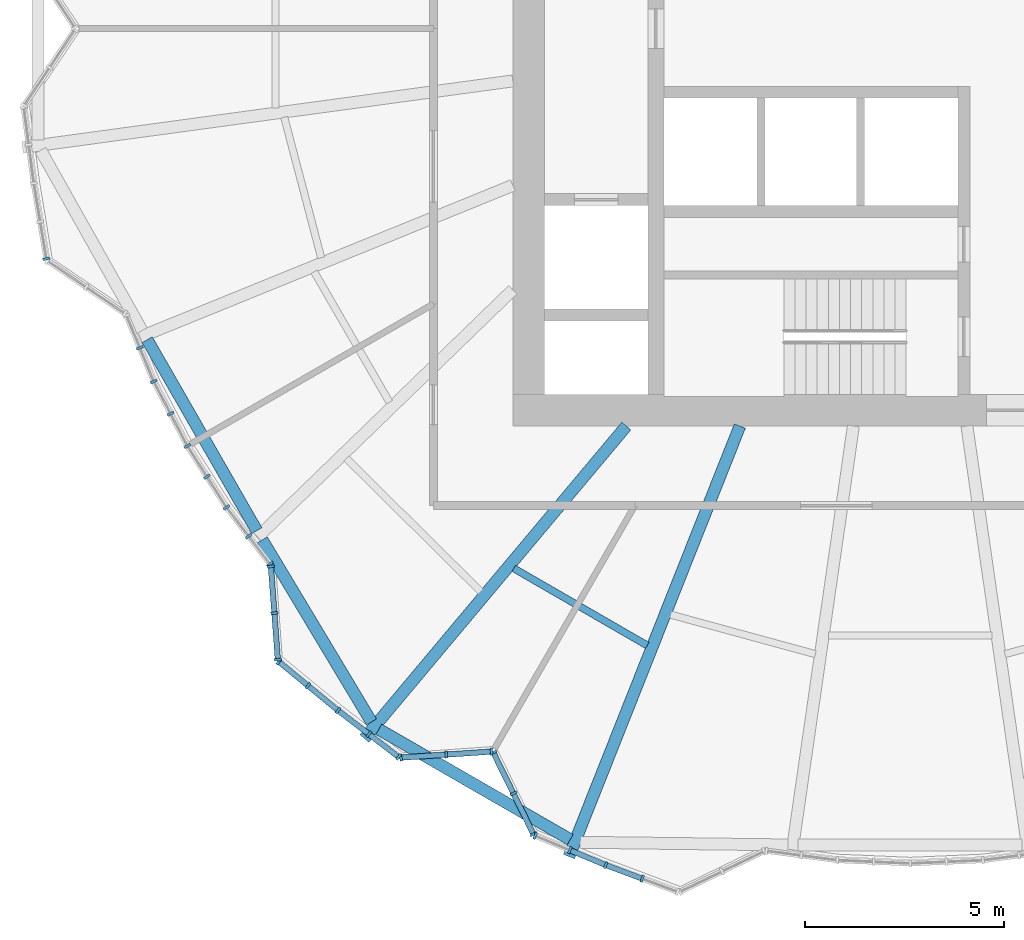
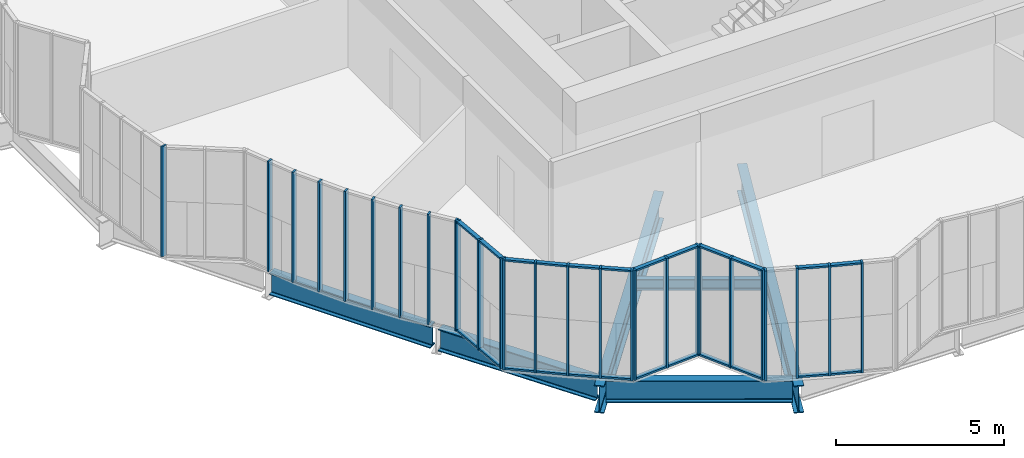
# One storey, part 1 of 22: 51 members, 6 beams, 12 elements without a shape of their own.
"""IFC4 building model written with IfcOpenShell, lengths in metres."""

from ifc_helpers import new_model, si_unit, direction, frame, origin, origin_2d, place, context, subcontext, project, spatial, rectangle, i_section, extrude, material, material_profile, profile_set, type_object, element, aggregate, save


model = new_model("IFC4")

# Units and contexts
model_context = context("Model", 3, precision=1e-05, world=origin(), true_north=direction((0.0, 1.0)))
body_context = subcontext(model_context, "Body", "Model", "MODEL_VIEW")
ifc_project = project(units=[si_unit("LENGTHUNIT", "METRE"), si_unit("AREAUNIT", "SQUARE_METRE"), si_unit("VOLUMEUNIT", "CUBIC_METRE"), si_unit("PLANEANGLEUNIT", "RADIAN"), si_unit("MASSUNIT", "GRAM", prefix="KILO")], contexts=[model_context])

# Site, building, storey
site_placement = place(None, origin())
site = spatial("IfcSite", under=ifc_project, at=site_placement, CompositionType="ELEMENT")
building_placement = place(site_placement, origin())
building = spatial("IfcBuilding", under=site, at=building_placement, Name="Golbaran Civic Tower", CompositionType="ELEMENT")
storey_placement = place(building_placement, frame((0.0, 0.0, 29.0)))
storey = spatial("IfcBuildingStorey", under=building, at=storey_placement, Name="L06", CompositionType="ELEMENT", Elevation=29.0)

# Beams
ifc_material_1 = material(Name="Steel S355", Category="steel")
ifc_material_profile_1 = material_profile(ifc_material_1, i_section(OverallWidth=0.300048828125, OverallDepth=0.800048828125, WebThickness=0.017578125, FlangeThickness=0.032958984375, FilletRadius=0.030029296875, at=origin_2d()), Name="HEB 800")
ifc_profile_set_1 = profile_set([ifc_material_profile_1], Name="Steel S355")
beam_type_1 = type_object("IfcBeamType", Name="EDGE BEAM HEB 800", PredefinedType="BEAM", material=ifc_profile_set_1)
beam_1_placement = place(storey_placement, frame((-19.20166015625, -7.827392578125, -0.60009765625), z_axis=(0.497888378449, -0.867241121376, 0.0), x_axis=(0.867241121376, 0.497888378449, 0.0)))
element("IfcBeam", 1, at=beam_1_placement, inside=storey, type_object=beam_type_1, Name="Edge beam 201.83 L06", PredefinedType="BEAM", context=body_context, shape_type="SweptSolid", body=[
    extrude(i_section(OverallWidth=0.300048828125, OverallDepth=0.800048828125, WebThickness=0.017578125, FlangeThickness=0.032958984375, FilletRadius=0.030029296875, at=origin_2d()), origin(), (0.0, 0.0, 1.0), 5.54248046875),
])
beam_2_placement = place(storey_placement, frame((-16.306640625, -12.86474609375, -0.60009765625), z_axis=(0.514509191059, -0.85748486419, 0.0), x_axis=(0.85748486419, 0.514509191059, 0.0)))
element("IfcBeam", 2, at=beam_2_placement, inside=storey, type_object=beam_type_1, Name="Edge beam 218.17 L06", PredefinedType="BEAM", context=body_context, shape_type="SweptSolid", body=[
    extrude(i_section(OverallWidth=0.300048828125, OverallDepth=0.800048828125, WebThickness=0.017578125, FlangeThickness=0.032958984375, FilletRadius=0.030029296875, at=origin_2d()), origin(), (0.0, 0.0, 1.0), 5.344482421875),
])
beam_3_placement = place(storey_placement, frame((-13.37158203125, -17.631591796875, -0.60009765625), z_axis=(0.866363940205, -0.499413178753, 0.0), x_axis=(0.499413178753, 0.866363940205, 0.0)))
element("IfcBeam", 3, at=beam_3_placement, inside=storey, type_object=beam_type_1, Name="Edge beam 232.37 L06", PredefinedType="BEAM", context=body_context, shape_type="SweptSolid", body=[
    extrude(i_section(OverallWidth=0.300048828125, OverallDepth=0.800048828125, WebThickness=0.017578125, FlangeThickness=0.032958984375, FilletRadius=0.030029296875, at=origin_2d()), origin(), (0.0, 0.0, 1.0), 5.558837890625),
])
ifc_material_profile_2 = material_profile(ifc_material_1, i_section(OverallWidth=0.179931640625, OverallDepth=0.39990234375, WebThickness=0.008544921875, FlangeThickness=0.013427734375, FilletRadius=0.02099609375, at=origin_2d()), Name="IPE 400")
ifc_profile_set_2 = profile_set([ifc_material_profile_2], Name="Steel S355")
beam_type_2 = type_object("IfcBeamType", Name="FLOOR INFILL BEAM IPE 400", PredefinedType="BEAM", material=ifc_profile_set_2)
beam_4_placement = place(storey_placement, frame((-9.97607421875, -13.58154296875, -0.39990234375), z_axis=(0.866023143435, -0.50000391502, 0.0), x_axis=(0.50000391502, 0.866023143435, 0.0)))
element("IfcBeam", 4, at=beam_4_placement, inside=storey, type_object=beam_type_2, Name="Infill beam 240.00 L06", PredefinedType="BEAM", context=body_context, shape_type="SweptSolid", body=[
    extrude(i_section(OverallWidth=0.179931640625, OverallDepth=0.39990234375, WebThickness=0.008544921875, FlangeThickness=0.013427734375, FilletRadius=0.02099609375, at=origin_2d()), origin(), (0.0, 0.0, 1.0), 3.87939453125),
])

# Curtain wall, member
ifc_material_2 = material(Name="Aluminium and glass", Category="aluminium")
curtain_wall_type = type_object("IfcCurtainWallType", Name="INNER SKIN CURTAIN WALL", PredefinedType="NOTDEFINED", material=ifc_material_2)
curtain_wall_1_placement = place(storey_placement, origin())
curtain_wall_1 = element("IfcCurtainWall", 5, at=curtain_wall_1_placement, inside=storey, type_object=curtain_wall_type, Name="Inner skin L06 facet 39 CW1", ObjectType="INNER SKIN", PredefinedType="USERDEFINED")
ifc_material_3 = material(Name="Aluminium", Category="aluminium")
ifc_material_profile_3 = material_profile(ifc_material_3, rectangle(XDim=0.179931640625, YDim=0.06494140625, at=origin_2d()), Name="INNER SKIN CURTAIN WALL MULLION")
ifc_profile_set_3 = profile_set([ifc_material_profile_3], Name="Aluminium")
member_type_1 = type_object("IfcMemberType", Name="INNER SKIN CURTAIN WALL MULLION", PredefinedType="MULLION", material=ifc_profile_set_3)
member_1_placement = place(storey_placement, frame((-21.74072265625, -5.7919921875, 0.0), z_axis=(0.0, 0.0, 1.0), x_axis=(0.986391272574, 0.164414894066, 0.0)))
member_1 = element("IfcMember", 6, at=member_1_placement, type_object=member_type_1, Name="CW1 mullion 3", PredefinedType="MULLION", context=body_context, shape_type="SweptSolid", body=[
    extrude(rectangle(XDim=0.179931640625, YDim=0.06494140625, at=origin_2d()), origin(), (0.0, 0.0, 1.0), 4.0),
])
aggregate(curtain_wall_1, [member_1])

# Curtain wall, members
curtain_wall_2_placement = place(storey_placement, origin())
curtain_wall_2 = element("IfcCurtainWall", 7, at=curtain_wall_2_placement, inside=storey, type_object=curtain_wall_type, Name="Inner skin L06 facet 41 CW1", ObjectType="INNER SKIN", PredefinedType="USERDEFINED")
member_2_placement = place(storey_placement, frame((-19.3876953125, -8.030517578125, 0.0), z_axis=(0.0, 0.0, 1.0), x_axis=(0.923879532471, 0.382683432462, 0.0)))
member_2 = element("IfcMember", 8, at=member_2_placement, type_object=member_type_1, Name="CW1 mullion 2", PredefinedType="MULLION", context=body_context, shape_type="SweptSolid", body=[
    extrude(rectangle(XDim=0.179931640625, YDim=0.06494140625, at=origin_2d()), origin(), (0.0, 0.0, 1.0), 4.0),
])
member_3_placement = place(storey_placement, frame((-19.037109375, -8.877197265625, 0.0), z_axis=(0.0, 0.0, 1.0), x_axis=(0.906307786978, 0.422618261867, 0.0)))
member_3 = element("IfcMember", 9, at=member_3_placement, type_object=member_type_1, Name="CW1 mullion 3", PredefinedType="MULLION", context=body_context, shape_type="SweptSolid", body=[
    extrude(rectangle(XDim=0.179931640625, YDim=0.06494140625, at=origin_2d()), origin(), (0.0, 0.0, 1.0), 4.0),
])
aggregate(curtain_wall_2, [member_2, member_3])

curtain_wall_3_placement = place(storey_placement, origin())
curtain_wall_3 = element("IfcCurtainWall", 10, at=curtain_wall_3_placement, inside=storey, type_object=curtain_wall_type, Name="Inner skin L06 facet 42 CW1", ObjectType="INNER SKIN", PredefinedType="USERDEFINED")
member_4_placement = place(storey_placement, frame((-18.614013671875, -9.689697265625, 0.0), z_axis=(0.0, 0.0, 1.0), x_axis=(0.887010832985, 0.461748613607, 0.0)))
member_4 = element("IfcMember", 11, at=member_4_placement, type_object=member_type_1, Name="CW1 mullion 2", PredefinedType="MULLION", context=body_context, shape_type="SweptSolid", body=[
    extrude(rectangle(XDim=0.179931640625, YDim=0.06494140625, at=origin_2d()), origin(), (0.0, 0.0, 1.0), 4.0),
])
member_5_placement = place(storey_placement, frame((-18.19091796875, -10.50244140625, 0.0), z_axis=(0.0, 0.0, 1.0), x_axis=(0.866025403741, 0.500000000076, 0.0)))
member_5 = element("IfcMember", 12, at=member_5_placement, type_object=member_type_1, Name="CW1 mullion 3", PredefinedType="MULLION", context=body_context, shape_type="SweptSolid", body=[
    extrude(rectangle(XDim=0.179931640625, YDim=0.06494140625, at=origin_2d()), origin(), (0.0, 0.0, 1.0), 4.0),
])
aggregate(curtain_wall_3, [member_4, member_5])

curtain_wall_4_placement = place(storey_placement, origin())
curtain_wall_4 = element("IfcCurtainWall", 13, at=curtain_wall_4_placement, inside=storey, type_object=curtain_wall_type, Name="Inner skin L06 facet 43 CW1", ObjectType="INNER SKIN", PredefinedType="USERDEFINED")
member_6_placement = place(storey_placement, frame((-17.698486328125, -11.275146484375, 0.0), z_axis=(0.0, 0.0, 1.0), x_axis=(0.843391445935, 0.537299608155, 0.0)))
member_6 = element("IfcMember", 14, at=member_6_placement, type_object=member_type_1, Name="CW1 mullion 2", PredefinedType="MULLION", context=body_context, shape_type="SweptSolid", body=[
    extrude(rectangle(XDim=0.179931640625, YDim=0.06494140625, at=origin_2d()), origin(), (0.0, 0.0, 1.0), 4.0),
])
member_7_placement = place(storey_placement, frame((-17.206298828125, -12.0478515625, 0.0), z_axis=(0.0, 0.0, 1.0), x_axis=(0.819152044349, 0.573576436265, 0.0)))
member_7 = element("IfcMember", 15, at=member_7_placement, type_object=member_type_1, Name="CW1 mullion 3", PredefinedType="MULLION", context=body_context, shape_type="SweptSolid", body=[
    extrude(rectangle(XDim=0.179931640625, YDim=0.06494140625, at=origin_2d()), origin(), (0.0, 0.0, 1.0), 4.0),
])
aggregate(curtain_wall_4, [member_6, member_7])

curtain_wall_5_placement = place(storey_placement, origin())
curtain_wall_5 = element("IfcCurtainWall", 16, at=curtain_wall_5_placement, inside=storey, type_object=curtain_wall_type, Name="Inner skin L06 facet 44 CW1", ObjectType="INNER SKIN", PredefinedType="USERDEFINED")
member_8_placement = place(storey_placement, frame((-16.6484375, -12.77490234375, 0.0), z_axis=(0.0, 0.0, 1.0), x_axis=(0.793353340259, 0.60876142905, 0.0)))
member_8 = element("IfcMember", 17, at=member_8_placement, type_object=member_type_1, Name="CW1 mullion 2", PredefinedType="MULLION", context=body_context, shape_type="SweptSolid", body=[
    extrude(rectangle(XDim=0.179931640625, YDim=0.06494140625, at=origin_2d()), origin(), (0.0, 0.0, 1.0), 4.0),
])
member_9_placement = place(storey_placement, frame((-16.110595703125, -13.47607421875, 0.0), z_axis=(0.0, 0.0, 1.0), x_axis=(0.793353340259, 0.60876142905, 0.0)))
member_9 = element("IfcMember", 18, at=member_9_placement, type_object=member_type_1, Name="CW1 mullion 3", PredefinedType="MULLION", context=body_context, shape_type="SweptSolid", body=[
    extrude(rectangle(XDim=0.179931640625, YDim=0.06494140625, at=origin_2d()), origin(), (0.0, 0.0, 1.0), 4.0),
])
aggregate(curtain_wall_5, [member_8, member_9])

curtain_wall_6_placement = place(storey_placement, origin())
curtain_wall_6 = element("IfcCurtainWall", 19, at=curtain_wall_6_placement, inside=storey, type_object=curtain_wall_type, Name="Inner skin L06 facet 45 CW1", ObjectType="INNER SKIN", PredefinedType="USERDEFINED")
member_10_placement = place(storey_placement, frame((-16.08837890625, -13.5341796875, 0.0), z_axis=(0.0, 0.0, 1.0), x_axis=(0.997238388272, 0.074267065092, 0.0)))
member_10 = element("IfcMember", 20, at=member_10_placement, type_object=member_type_1, Name="CW1 mullion 1", PredefinedType="MULLION", context=body_context, shape_type="SweptSolid", body=[
    extrude(rectangle(XDim=0.179931640625, YDim=0.06494140625, at=origin_2d()), origin(), (0.0, 0.0, 1.0), 4.0),
])
member_11_placement = place(storey_placement, frame((-16.0009765625, -14.70654296875, 0.0), z_axis=(0.0, 0.0, 1.0), x_axis=(0.997238388272, 0.074267065092, 0.0)))
member_11 = element("IfcMember", 21, at=member_11_placement, type_object=member_type_1, Name="CW1 mullion 2", PredefinedType="MULLION", context=body_context, shape_type="SweptSolid", body=[
    extrude(rectangle(XDim=0.179931640625, YDim=0.06494140625, at=origin_2d()), origin(), (0.0, 0.0, 1.0), 4.0),
])
member_12_placement = place(storey_placement, frame((-15.913818359375, -15.87890625, 0.0), z_axis=(0.0, 0.0, 1.0), x_axis=(0.997238388272, 0.074267065092, 0.0)))
member_12 = element("IfcMember", 22, at=member_12_placement, type_object=member_type_1, Name="CW1 mullion 3", PredefinedType="MULLION", context=body_context, shape_type="SweptSolid", body=[
    extrude(rectangle(XDim=0.179931640625, YDim=0.06494140625, at=origin_2d()), origin(), (0.0, 0.0, 1.0), 4.0),
])

curtain_wall_7_placement = place(storey_placement, origin())
curtain_wall_7 = element("IfcCurtainWall", 23, at=curtain_wall_7_placement, inside=storey, type_object=curtain_wall_type, Name="Inner skin L06 facet 46 CW1", ObjectType="INNER SKIN", PredefinedType="USERDEFINED")
member_13_placement = place(storey_placement, frame((-15.88623046875, -15.931884765625, 0.0), z_axis=(0.0, 0.0, 1.0), x_axis=(0.63558311147, 0.772032452954, 0.0)))
member_13 = element("IfcMember", 24, at=member_13_placement, type_object=member_type_1, Name="CW1 mullion 1", PredefinedType="MULLION", context=body_context, shape_type="SweptSolid", body=[
    extrude(rectangle(XDim=0.179931640625, YDim=0.06494140625, at=origin_2d()), origin(), (0.0, 0.0, 1.0), 4.0),
])
member_14_placement = place(storey_placement, frame((-15.154296875, -16.53466796875, 0.0), z_axis=(0.0, 0.0, 1.0), x_axis=(0.63558311147, 0.772032452954, 0.0)))
member_14 = element("IfcMember", 25, at=member_14_placement, type_object=member_type_1, Name="CW1 mullion 2", PredefinedType="MULLION", context=body_context, shape_type="SweptSolid", body=[
    extrude(rectangle(XDim=0.179931640625, YDim=0.06494140625, at=origin_2d()), origin(), (0.0, 0.0, 1.0), 4.0),
])
member_15_placement = place(storey_placement, frame((-14.397216796875, -17.157958984375, 0.0), z_axis=(0.0, 0.0, 1.0), x_axis=(0.622263592758, 0.782807780447, 0.0)))
member_15 = element("IfcMember", 26, at=member_15_placement, type_object=member_type_1, Name="CW1 mullion 3", PredefinedType="MULLION", context=body_context, shape_type="SweptSolid", body=[
    extrude(rectangle(XDim=0.179931640625, YDim=0.06494140625, at=origin_2d()), origin(), (0.0, 0.0, 1.0), 4.0),
])

curtain_wall_8_placement = place(storey_placement, origin())
curtain_wall_8 = element("IfcCurtainWall", 27, at=curtain_wall_8_placement, inside=storey, type_object=curtain_wall_type, Name="Inner skin L06 facet 47 CW1", ObjectType="INNER SKIN", PredefinedType="USERDEFINED")
member_16_placement = place(storey_placement, frame((-13.6220703125, -17.752685546875, 0.0), z_axis=(0.0, 0.0, 1.0), x_axis=(0.608761428856, 0.793353340408, 0.0)))
member_16 = element("IfcMember", 28, at=member_16_placement, type_object=member_type_1, Name="CW1 mullion 2", PredefinedType="MULLION", context=body_context, shape_type="SweptSolid", body=[
    extrude(rectangle(XDim=0.179931640625, YDim=0.06494140625, at=origin_2d()), origin(), (0.0, 0.0, 1.0), 4.0),
])
member_17_placement = place(storey_placement, frame((-12.872802734375, -18.32763671875, 0.0), z_axis=(0.0, 0.0, 1.0), x_axis=(0.608761428856, 0.793353340408, 0.0)))
member_17 = element("IfcMember", 29, at=member_17_placement, type_object=member_type_1, Name="CW1 mullion 3", PredefinedType="MULLION", context=body_context, shape_type="SweptSolid", body=[
    extrude(rectangle(XDim=0.179931640625, YDim=0.06494140625, at=origin_2d()), origin(), (0.0, 0.0, 1.0), 4.0),
])

curtain_wall_9_placement = place(storey_placement, origin())
curtain_wall_9 = element("IfcCurtainWall", 30, at=curtain_wall_9_placement, inside=storey, type_object=curtain_wall_type, Name="Inner skin L06 facet 48 CW1", ObjectType="INNER SKIN", PredefinedType="USERDEFINED")
member_18_placement = place(storey_placement, frame((-12.814453125, -18.34521484375, 0.0), z_axis=(0.0, 0.0, 1.0), x_axis=(-0.066606384387, 0.99777932909, 0.0)))
member_18 = element("IfcMember", 31, at=member_18_placement, type_object=member_type_1, Name="CW1 mullion 1", PredefinedType="MULLION", context=body_context, shape_type="SweptSolid", body=[
    extrude(rectangle(XDim=0.179931640625, YDim=0.06494140625, at=origin_2d()), origin(), (0.0, 0.0, 1.0), 4.0),
])
member_19_placement = place(storey_placement, frame((-11.6748046875, -18.26904296875, 0.0), z_axis=(0.0, 0.0, 1.0), x_axis=(-0.066606384387, 0.99777932909, 0.0)))
member_19 = element("IfcMember", 32, at=member_19_placement, type_object=member_type_1, Name="CW1 mullion 2", PredefinedType="MULLION", context=body_context, shape_type="SweptSolid", body=[
    extrude(rectangle(XDim=0.179931640625, YDim=0.06494140625, at=origin_2d()), origin(), (0.0, 0.0, 1.0), 4.0),
])
member_20_placement = place(storey_placement, frame((-10.534912109375, -18.193115234375, 0.0), z_axis=(0.0, 0.0, 1.0), x_axis=(-0.066606384387, 0.99777932909, 0.0)))
member_20 = element("IfcMember", 33, at=member_20_placement, type_object=member_type_1, Name="CW1 mullion 3", PredefinedType="MULLION", context=body_context, shape_type="SweptSolid", body=[
    extrude(rectangle(XDim=0.179931640625, YDim=0.06494140625, at=origin_2d()), origin(), (0.0, 0.0, 1.0), 4.0),
])

curtain_wall_10_placement = place(storey_placement, origin())
curtain_wall_10 = element("IfcCurtainWall", 34, at=curtain_wall_10_placement, inside=storey, type_object=curtain_wall_type, Name="Inner skin L06 facet 49 CW1", ObjectType="INNER SKIN", PredefinedType="USERDEFINED")
member_21_placement = place(storey_placement, frame((-10.48828125, -18.219970703125, 0.0), z_axis=(0.0, 0.0, 1.0), x_axis=(0.897405438418, 0.441206843893, 0.0)))
member_21 = element("IfcMember", 35, at=member_21_placement, type_object=member_type_1, Name="CW1 mullion 1", PredefinedType="MULLION", context=body_context, shape_type="SweptSolid", body=[
    extrude(rectangle(XDim=0.179931640625, YDim=0.06494140625, at=origin_2d()), origin(), (0.0, 0.0, 1.0), 4.0),
])
member_22_placement = place(storey_placement, frame((-9.984130859375, -19.2451171875, 0.0), z_axis=(0.0, 0.0, 1.0), x_axis=(0.897405438418, 0.441206843893, 0.0)))
member_22 = element("IfcMember", 36, at=member_22_placement, type_object=member_type_1, Name="CW1 mullion 2", PredefinedType="MULLION", context=body_context, shape_type="SweptSolid", body=[
    extrude(rectangle(XDim=0.179931640625, YDim=0.06494140625, at=origin_2d()), origin(), (0.0, 0.0, 1.0), 4.0),
])
member_23_placement = place(storey_placement, frame((-9.480224609375, -20.270263671875, 0.0), z_axis=(0.0, 0.0, 1.0), x_axis=(0.897405438418, 0.441206843893, 0.0)))
member_23 = element("IfcMember", 37, at=member_23_placement, type_object=member_type_1, Name="CW1 mullion 3", PredefinedType="MULLION", context=body_context, shape_type="SweptSolid", body=[
    extrude(rectangle(XDim=0.179931640625, YDim=0.06494140625, at=origin_2d()), origin(), (0.0, 0.0, 1.0), 4.0),
])

curtain_wall_11_placement = place(storey_placement, origin())
curtain_wall_11 = element("IfcCurtainWall", 38, at=curtain_wall_11_placement, inside=storey, type_object=curtain_wall_type, Name="Inner skin L06 facet 50 CW1", ObjectType="INNER SKIN", PredefinedType="USERDEFINED")
member_24_placement = place(storey_placement, frame((-9.435791015625, -20.31201171875, 0.0), z_axis=(0.0, 0.0, 1.0), x_axis=(0.382683432268, 0.923879532551, 0.0)))
member_24 = element("IfcMember", 39, at=member_24_placement, type_object=member_type_1, Name="CW1 mullion 1", PredefinedType="MULLION", context=body_context, shape_type="SweptSolid", body=[
    extrude(rectangle(XDim=0.179931640625, YDim=0.06494140625, at=origin_2d()), origin(), (0.0, 0.0, 1.0), 4.0),
])
member_25_placement = place(storey_placement, frame((-8.563232421875, -20.67333984375, 0.0), z_axis=(0.0, 0.0, 1.0), x_axis=(0.382683432268, 0.923879532551, 0.0)))
member_25 = element("IfcMember", 40, at=member_25_placement, type_object=member_type_1, Name="CW1 mullion 2", PredefinedType="MULLION", context=body_context, shape_type="SweptSolid", body=[
    extrude(rectangle(XDim=0.179931640625, YDim=0.06494140625, at=origin_2d()), origin(), (0.0, 0.0, 1.0), 4.0),
])
member_26_placement = place(storey_placement, frame((-7.66064453125, -21.047119140625, 0.0), z_axis=(0.0, 0.0, 1.0), x_axis=(0.366799627898, 0.930299969351, 0.0)))
member_26 = element("IfcMember", 41, at=member_26_placement, type_object=member_type_1, Name="CW1 mullion 3", PredefinedType="MULLION", context=body_context, shape_type="SweptSolid", body=[
    extrude(rectangle(XDim=0.179931640625, YDim=0.06494140625, at=origin_2d()), origin(), (0.0, 0.0, 1.0), 4.0),
])

# Curtain wall, member
curtain_wall_12_placement = place(storey_placement, origin())
curtain_wall_12 = element("IfcCurtainWall", 42, at=curtain_wall_12_placement, inside=storey, type_object=curtain_wall_type, Name="Inner skin L06 facet 51 CW1", ObjectType="INNER SKIN", PredefinedType="USERDEFINED")
member_27_placement = place(storey_placement, frame((-6.7421875, -21.391357421875, 0.0), z_axis=(0.0, 0.0, 1.0), x_axis=(0.350808161461, 0.936447347079, 0.0)))
member_27 = element("IfcMember", 43, at=member_27_placement, type_object=member_type_1, Name="CW1 mullion 2", PredefinedType="MULLION", context=body_context, shape_type="SweptSolid", body=[
    extrude(rectangle(XDim=0.179931640625, YDim=0.06494140625, at=origin_2d()), origin(), (0.0, 0.0, 1.0), 4.0),
])

# Member
ifc_material_profile_4 = material_profile(ifc_material_3, rectangle(XDim=0.139892578125, YDim=0.06494140625, at=origin_2d()), Name="INNER SKIN CURTAIN WALL TRANSOM")
ifc_profile_set_4 = profile_set([ifc_material_profile_4], Name="Aluminium")
member_type_2 = type_object("IfcMemberType", Name="INNER SKIN CURTAIN WALL TRANSOM", PredefinedType="USERDEFINED", material=ifc_profile_set_4)
member_28_placement = place(storey_placement, frame((-16.0859375, -13.566650390625, 0.032470703125), z_axis=(0.074308977059, -0.997235266087, 0.0), x_axis=(0.997235266087, 0.074308977059, 0.0)))
member_28 = element("IfcMember", 44, at=member_28_placement, type_object=member_type_2, Name="CW1 transom 1.1", ObjectType="TRANSOM", PredefinedType="USERDEFINED", context=body_context, shape_type="SweptSolid", body=[
    extrude(rectangle(XDim=0.139892578125, YDim=0.06494140625, at=origin_2d()), origin(), (0.0, 0.0, 1.0), 1.110595703125),
])

member_29_placement = place(storey_placement, frame((-16.0859375, -13.566650390625, 3.967529296875), z_axis=(0.074308977059, -0.997235266087, 0.0), x_axis=(0.997235266087, 0.074308977059, 0.0)))
member_29 = element("IfcMember", 45, at=member_29_placement, type_object=member_type_2, Name="CW1 transom 1.2", ObjectType="TRANSOM", PredefinedType="USERDEFINED", context=body_context, shape_type="SweptSolid", body=[
    extrude(rectangle(XDim=0.139892578125, YDim=0.06494140625, at=origin_2d()), origin(), (0.0, 0.0, 1.0), 1.110595703125),
])

member_30_placement = place(storey_placement, frame((-15.99853515625, -14.739013671875, 0.032470703125), z_axis=(0.074090336629, -0.997251533976, 0.0), x_axis=(0.997251533976, 0.074090336629, 0.0)))
member_30 = element("IfcMember", 46, at=member_30_placement, type_object=member_type_2, Name="CW1 transom 2.1", ObjectType="TRANSOM", PredefinedType="USERDEFINED", context=body_context, shape_type="SweptSolid", body=[
    extrude(rectangle(XDim=0.139892578125, YDim=0.06494140625, at=origin_2d()), origin(), (0.0, 0.0, 1.0), 1.110595703125),
])

member_31_placement = place(storey_placement, frame((-15.99853515625, -14.739013671875, 3.967529296875), z_axis=(0.074090336629, -0.997251533976, 0.0), x_axis=(0.997251533976, 0.074090336629, 0.0)))
member_31 = element("IfcMember", 47, at=member_31_placement, type_object=member_type_2, Name="CW1 transom 2.2", ObjectType="TRANSOM", PredefinedType="USERDEFINED", context=body_context, shape_type="SweptSolid", body=[
    extrude(rectangle(XDim=0.139892578125, YDim=0.06494140625, at=origin_2d()), origin(), (0.0, 0.0, 1.0), 1.110595703125),
])

aggregate(curtain_wall_6, [member_10, member_11, member_12, member_28, member_29, member_30, member_31])

member_32_placement = place(storey_placement, frame((-15.861083984375, -15.95263671875, 0.032470703125), z_axis=(0.771970140389, -0.635658793967, 0.0), x_axis=(0.635658793967, 0.771970140389, 0.0)))
member_32 = element("IfcMember", 48, at=member_32_placement, type_object=member_type_2, Name="CW1 transom 1.1", ObjectType="TRANSOM", PredefinedType="USERDEFINED", context=body_context, shape_type="SweptSolid", body=[
    extrude(rectangle(XDim=0.139892578125, YDim=0.06494140625, at=origin_2d()), origin(), (0.0, 0.0, 1.0), 0.883056640625),
])

member_33_placement = place(storey_placement, frame((-15.861083984375, -15.95263671875, 3.967529296875), z_axis=(0.771970140389, -0.635658793967, 0.0), x_axis=(0.635658793967, 0.771970140389, 0.0)))
member_33 = element("IfcMember", 49, at=member_33_placement, type_object=member_type_2, Name="CW1 transom 1.2", ObjectType="TRANSOM", PredefinedType="USERDEFINED", context=body_context, shape_type="SweptSolid", body=[
    extrude(rectangle(XDim=0.139892578125, YDim=0.06494140625, at=origin_2d()), origin(), (0.0, 0.0, 1.0), 0.883056640625),
])

member_34_placement = place(storey_placement, frame((-15.129150390625, -16.55517578125, 0.032470703125), z_axis=(0.771945629495, -0.635688559833, 0.0), x_axis=(0.635688559833, 0.771945629495, 0.0)))
member_34 = element("IfcMember", 50, at=member_34_placement, type_object=member_type_2, Name="CW1 transom 2.1", ObjectType="TRANSOM", PredefinedType="USERDEFINED", context=body_context, shape_type="SweptSolid", body=[
    extrude(rectangle(XDim=0.139892578125, YDim=0.06494140625, at=origin_2d()), origin(), (0.0, 0.0, 1.0), 0.91552734375),
])

member_35_placement = place(storey_placement, frame((-15.129150390625, -16.55517578125, 3.967529296875), z_axis=(0.771945629495, -0.635688559833, 0.0), x_axis=(0.635688559833, 0.771945629495, 0.0)))
member_35 = element("IfcMember", 51, at=member_35_placement, type_object=member_type_2, Name="CW1 transom 2.2", ObjectType="TRANSOM", PredefinedType="USERDEFINED", context=body_context, shape_type="SweptSolid", body=[
    extrude(rectangle(XDim=0.139892578125, YDim=0.06494140625, at=origin_2d()), origin(), (0.0, 0.0, 1.0), 0.91552734375),
])

aggregate(curtain_wall_7, [member_13, member_14, member_15, member_32, member_33, member_34, member_35])

member_36_placement = place(storey_placement, frame((-14.371337890625, -17.177734375, 0.032470703125), z_axis=(0.793300304283, -0.608830540648, 0.0), x_axis=(0.608830540648, 0.793300304283, 0.0)))
member_36 = element("IfcMember", 52, at=member_36_placement, type_object=member_type_2, Name="CW1 transom 1.1", ObjectType="TRANSOM", PredefinedType="USERDEFINED", context=body_context, shape_type="SweptSolid", body=[
    extrude(rectangle(XDim=0.139892578125, YDim=0.06494140625, at=origin_2d()), origin(), (0.0, 0.0, 1.0), 0.911865234375),
])

member_37_placement = place(storey_placement, frame((-14.371337890625, -17.177734375, 3.967529296875), z_axis=(0.793300304283, -0.608830540648, 0.0), x_axis=(0.608830540648, 0.793300304283, 0.0)))
member_37 = element("IfcMember", 53, at=member_37_placement, type_object=member_type_2, Name="CW1 transom 1.2", ObjectType="TRANSOM", PredefinedType="USERDEFINED", context=body_context, shape_type="SweptSolid", body=[
    extrude(rectangle(XDim=0.139892578125, YDim=0.06494140625, at=origin_2d()), origin(), (0.0, 0.0, 1.0), 0.911865234375),
])

member_38_placement = place(storey_placement, frame((-13.59619140625, -17.7724609375, 0.032470703125), z_axis=(0.793356092885, -0.608757841742, 0.0), x_axis=(0.608757841742, 0.793356092885, 0.0)))
member_38 = element("IfcMember", 54, at=member_38_placement, type_object=member_type_2, Name="CW1 transom 2.1", ObjectType="TRANSOM", PredefinedType="USERDEFINED", context=body_context, shape_type="SweptSolid", body=[
    extrude(rectangle(XDim=0.139892578125, YDim=0.06494140625, at=origin_2d()), origin(), (0.0, 0.0, 1.0), 0.87939453125),
])

member_39_placement = place(storey_placement, frame((-13.59619140625, -17.7724609375, 3.967529296875), z_axis=(0.793356092885, -0.608757841742, 0.0), x_axis=(0.608757841742, 0.793356092885, 0.0)))
member_39 = element("IfcMember", 55, at=member_39_placement, type_object=member_type_2, Name="CW1 transom 2.2", ObjectType="TRANSOM", PredefinedType="USERDEFINED", context=body_context, shape_type="SweptSolid", body=[
    extrude(rectangle(XDim=0.139892578125, YDim=0.06494140625, at=origin_2d()), origin(), (0.0, 0.0, 1.0), 0.87939453125),
])

aggregate(curtain_wall_8, [member_16, member_17, member_36, member_37, member_38, member_39])

member_40_placement = place(storey_placement, frame((-12.7822265625, -18.343017578125, 0.032470703125), z_axis=(0.997778133307, 0.06662429507, 0.0), x_axis=(-0.06662429507, 0.997778133307, 0.0)))
member_40 = element("IfcMember", 56, at=member_40_placement, type_object=member_type_2, Name="CW1 transom 1.1", ObjectType="TRANSOM", PredefinedType="USERDEFINED", context=body_context, shape_type="SweptSolid", body=[
    extrude(rectangle(XDim=0.139892578125, YDim=0.06494140625, at=origin_2d()), origin(), (0.0, 0.0, 1.0), 1.077392578125),
])

member_41_placement = place(storey_placement, frame((-12.7822265625, -18.343017578125, 3.967529296875), z_axis=(0.997778133307, 0.06662429507, 0.0), x_axis=(-0.06662429507, 0.997778133307, 0.0)))
member_41 = element("IfcMember", 57, at=member_41_placement, type_object=member_type_2, Name="CW1 transom 1.2", ObjectType="TRANSOM", PredefinedType="USERDEFINED", context=body_context, shape_type="SweptSolid", body=[
    extrude(rectangle(XDim=0.139892578125, YDim=0.06494140625, at=origin_2d()), origin(), (0.0, 0.0, 1.0), 1.077392578125),
])

member_42_placement = place(storey_placement, frame((-11.642333984375, -18.266845703125, 0.032470703125), z_axis=(0.99779317243, 0.066398682608, 0.0), x_axis=(-0.066398682608, 0.99779317243, 0.0)))
member_42 = element("IfcMember", 58, at=member_42_placement, type_object=member_type_2, Name="CW1 transom 2.1", ObjectType="TRANSOM", PredefinedType="USERDEFINED", context=body_context, shape_type="SweptSolid", body=[
    extrude(rectangle(XDim=0.139892578125, YDim=0.06494140625, at=origin_2d()), origin(), (0.0, 0.0, 1.0), 1.077392578125),
])

member_43_placement = place(storey_placement, frame((-11.642333984375, -18.266845703125, 3.967529296875), z_axis=(0.99779317243, 0.066398682608, 0.0), x_axis=(-0.066398682608, 0.99779317243, 0.0)))
member_43 = element("IfcMember", 59, at=member_43_placement, type_object=member_type_2, Name="CW1 transom 2.2", ObjectType="TRANSOM", PredefinedType="USERDEFINED", context=body_context, shape_type="SweptSolid", body=[
    extrude(rectangle(XDim=0.139892578125, YDim=0.06494140625, at=origin_2d()), origin(), (0.0, 0.0, 1.0), 1.077392578125),
])

aggregate(curtain_wall_9, [member_18, member_19, member_20, member_40, member_41, member_42, member_43])

member_44_placement = place(storey_placement, frame((-10.473876953125, -18.249267578125, 0.032470703125), z_axis=(0.441220934431, -0.897398510707, 0.0), x_axis=(0.897398510707, 0.441220934431, 0.0)))
member_44 = element("IfcMember", 60, at=member_44_placement, type_object=member_type_2, Name="CW1 transom 1.1", ObjectType="TRANSOM", PredefinedType="USERDEFINED", context=body_context, shape_type="SweptSolid", body=[
    extrude(rectangle(XDim=0.139892578125, YDim=0.06494140625, at=origin_2d()), origin(), (0.0, 0.0, 1.0), 1.077392578125),
])

member_45_placement = place(storey_placement, frame((-10.473876953125, -18.249267578125, 3.967529296875), z_axis=(0.441220934431, -0.897398510707, 0.0), x_axis=(0.897398510707, 0.441220934431, 0.0)))
member_45 = element("IfcMember", 61, at=member_45_placement, type_object=member_type_2, Name="CW1 transom 1.2", ObjectType="TRANSOM", PredefinedType="USERDEFINED", context=body_context, shape_type="SweptSolid", body=[
    extrude(rectangle(XDim=0.139892578125, YDim=0.06494140625, at=origin_2d()), origin(), (0.0, 0.0, 1.0), 1.077392578125),
])

member_46_placement = place(storey_placement, frame((-9.9697265625, -19.2744140625, 0.032470703125), z_axis=(0.441220934431, -0.897398510707, 0.0), x_axis=(0.897398510707, 0.441220934431, 0.0)))
member_46 = element("IfcMember", 62, at=member_46_placement, type_object=member_type_2, Name="CW1 transom 2.1", ObjectType="TRANSOM", PredefinedType="USERDEFINED", context=body_context, shape_type="SweptSolid", body=[
    extrude(rectangle(XDim=0.139892578125, YDim=0.06494140625, at=origin_2d()), origin(), (0.0, 0.0, 1.0), 1.077392578125),
])

member_47_placement = place(storey_placement, frame((-9.9697265625, -19.2744140625, 3.967529296875), z_axis=(0.441220934431, -0.897398510707, 0.0), x_axis=(0.897398510707, 0.441220934431, 0.0)))
member_47 = element("IfcMember", 63, at=member_47_placement, type_object=member_type_2, Name="CW1 transom 2.2", ObjectType="TRANSOM", PredefinedType="USERDEFINED", context=body_context, shape_type="SweptSolid", body=[
    extrude(rectangle(XDim=0.139892578125, YDim=0.06494140625, at=origin_2d()), origin(), (0.0, 0.0, 1.0), 1.077392578125),
])

aggregate(curtain_wall_10, [member_21, member_22, member_23, member_44, member_45, member_46, member_47])

member_48_placement = place(storey_placement, frame((-8.533203125, -20.685791015625, 0.032470703125), z_axis=(0.923827563852, -0.382808871721, 0.0), x_axis=(0.382808871721, 0.923827563852, 0.0)))
member_48 = element("IfcMember", 64, at=member_48_placement, type_object=member_type_2, Name="CW1 transom 2.1", ObjectType="TRANSOM", PredefinedType="USERDEFINED", context=body_context, shape_type="SweptSolid", body=[
    extrude(rectangle(XDim=0.139892578125, YDim=0.06494140625, at=origin_2d()), origin(), (0.0, 0.0, 1.0), 0.912109375),
])

member_49_placement = place(storey_placement, frame((-8.533203125, -20.685791015625, 3.967529296875), z_axis=(0.923827563852, -0.382808871721, 0.0), x_axis=(0.382808871721, 0.923827563852, 0.0)))
member_49 = element("IfcMember", 65, at=member_49_placement, type_object=member_type_2, Name="CW1 transom 2.2", ObjectType="TRANSOM", PredefinedType="USERDEFINED", context=body_context, shape_type="SweptSolid", body=[
    extrude(rectangle(XDim=0.139892578125, YDim=0.06494140625, at=origin_2d()), origin(), (0.0, 0.0, 1.0), 0.912109375),
])

aggregate(curtain_wall_11, [member_24, member_25, member_26, member_48, member_49])

member_50_placement = place(storey_placement, frame((-7.630126953125, -21.05859375, 0.032470703125), z_axis=(0.936416808714, -0.35088966978, 0.0), x_axis=(0.35088966978, 0.936416808714, 0.0)))
member_50 = element("IfcMember", 66, at=member_50_placement, type_object=member_type_2, Name="CW1 transom 1.1", ObjectType="TRANSOM", PredefinedType="USERDEFINED", context=body_context, shape_type="SweptSolid", body=[
    extrude(rectangle(XDim=0.139892578125, YDim=0.06494140625, at=origin_2d()), origin(), (0.0, 0.0, 1.0), 0.91552734375),
])

member_51_placement = place(storey_placement, frame((-7.630126953125, -21.05859375, 3.967529296875), z_axis=(0.936416808714, -0.35088966978, 0.0), x_axis=(0.35088966978, 0.936416808714, 0.0)))
member_51 = element("IfcMember", 67, at=member_51_placement, type_object=member_type_2, Name="CW1 transom 1.2", ObjectType="TRANSOM", PredefinedType="USERDEFINED", context=body_context, shape_type="SweptSolid", body=[
    extrude(rectangle(XDim=0.139892578125, YDim=0.06494140625, at=origin_2d()), origin(), (0.0, 0.0, 1.0), 0.91552734375),
])

aggregate(curtain_wall_12, [member_27, member_50, member_51])

# Beams
ifc_material_profile_5 = material_profile(ifc_material_1, i_section(OverallWidth=0.300048828125, OverallDepth=1.0, WebThickness=0.01904296875, FlangeThickness=0.035888671875, FilletRadius=0.030029296875, at=origin_2d()), Name="HEB 1000")
ifc_profile_set_5 = profile_set([ifc_material_profile_5], Name="Steel S355")
beam_type_3 = type_object("IfcBeamType", Name="RADIAL FLOOR BEAM HEB 1000", PredefinedType="BEAM", material=ifc_profile_set_5)
beam_5_placement = place(storey_placement, frame((-7.142822265625, -10.0, -0.7099609375), z_axis=(-0.642484295508, -0.766298851641, 0.0), x_axis=(0.766298851641, -0.642484295508, 0.0)))
element("IfcBeam", 68, at=beam_5_placement, inside=storey, type_object=beam_type_3, Name="Radial beam 232.37 L06", PredefinedType="BEAM", context=body_context, shape_type="SweptSolid", body=[
    extrude(i_section(OverallWidth=0.300048828125, OverallDepth=1.0, WebThickness=0.01904296875, FlangeThickness=0.035888671875, FilletRadius=0.030029296875, at=origin_2d()), origin(), (0.0, 0.0, 1.0), 10.261474609375),
])
beam_6_placement = place(storey_placement, frame((-4.28564453125, -10.0, -0.7099609375), z_axis=(-0.368861889552, -0.92948421527, 0.0), x_axis=(0.92948421527, -0.368861889552, 0.0)))
element("IfcBeam", 69, at=beam_6_placement, inside=storey, type_object=beam_type_3, Name="Radial beam 247.63 L06", PredefinedType="BEAM", context=body_context, shape_type="SweptSolid", body=[
    extrude(i_section(OverallWidth=0.300048828125, OverallDepth=1.0, WebThickness=0.01904296875, FlangeThickness=0.035888671875, FilletRadius=0.030029296875, at=origin_2d()), origin(), (0.0, 0.0, 1.0), 11.658203125),
])

save(model, "model.ifc")
